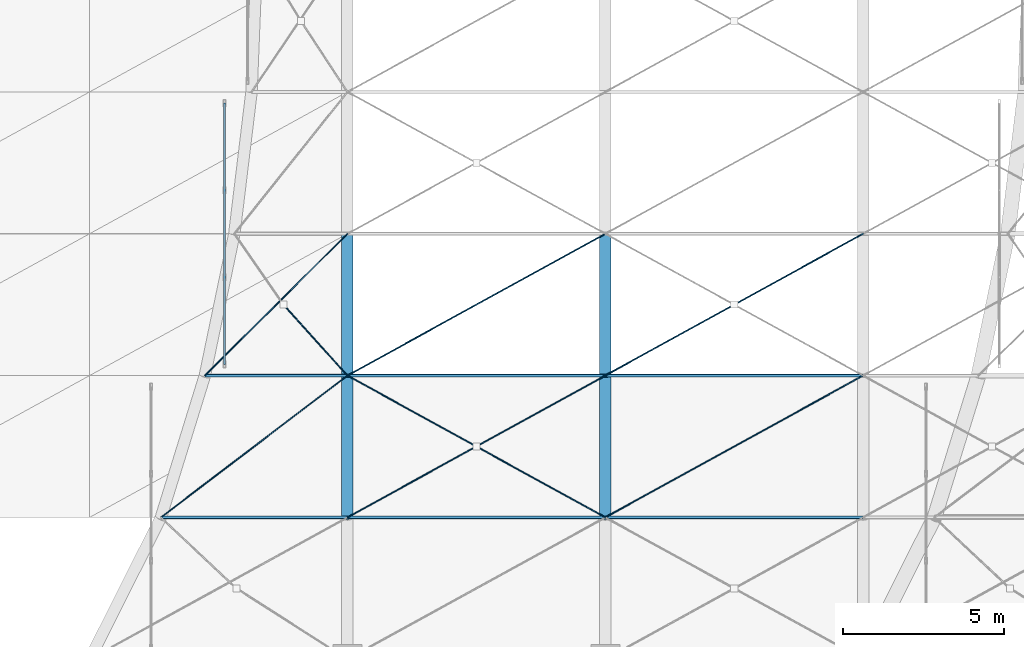
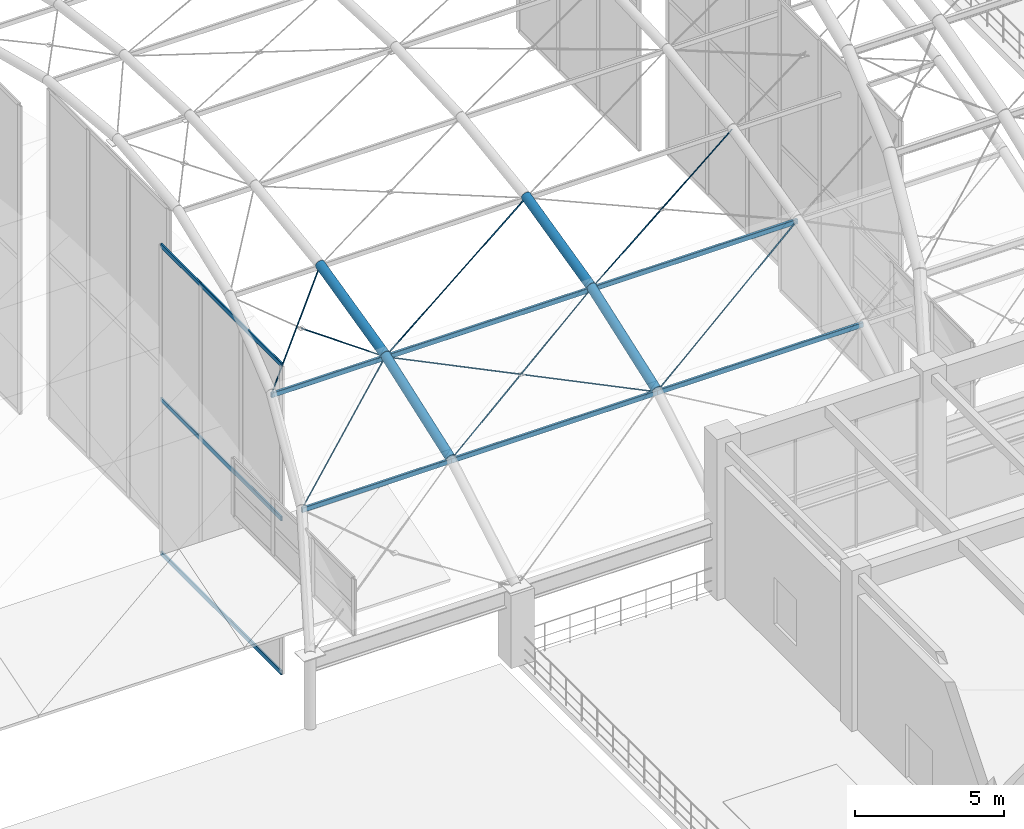
# One storey, part 13 of 163: 12 members, 10 beams, 1 element without a shape of its own.
"""IFC4 building model written with IfcOpenShell, lengths in metres."""

from ifc_helpers import new_model, si_unit, direction, frame, origin, origin_2d, place, context, subcontext, project, spatial, hollow_rectangle, circle, hollow_circle, extrude, material, material_profile, profile_set, type_object, element, aggregate, save


model = new_model("IFC4")

# Units and contexts
model_context = context("Model", 3, precision=1e-05, world=origin(), true_north=direction((0.0, 1.0)))
body_context = subcontext(model_context, "Body", "Model", "MODEL_VIEW")
ifc_project = project(units=[si_unit("LENGTHUNIT", "METRE"), si_unit("AREAUNIT", "SQUARE_METRE"), si_unit("VOLUMEUNIT", "CUBIC_METRE"), si_unit("PLANEANGLEUNIT", "RADIAN"), si_unit("MASSUNIT", "GRAM", prefix="KILO")], contexts=[model_context])

# Site, building, storey
site_placement = place(None, origin())
site = spatial("IfcSite", under=ifc_project, at=site_placement, CompositionType="ELEMENT")
building_placement = place(site_placement, origin())
building = spatial("IfcBuilding", under=site, at=building_placement, Name="Varnabhumi Central Station", CompositionType="ELEMENT")
storey_placement = place(building_placement, frame((0.0, 0.0, 9.60009765625)))
storey = spatial("IfcBuildingStorey", under=building, at=storey_placement, Name="L02", CompositionType="ELEMENT", Elevation=9.60009765625)

# Beams
ifc_material_1 = material(Name="Structural steel E350", Category="steel")
ifc_material_profile_1 = material_profile(ifc_material_1, hollow_circle(Radius=0.177734375, WallThickness=0.012451171875, at=origin_2d()), Name="Structural steel E350", Category="steel")
ifc_profile_set_1 = profile_set([ifc_material_profile_1], Name="Structural steel E350")
beam_type_1 = type_object("IfcBeamType", Name="BM-ARCH-CHS355", PredefinedType="BEAM", material=ifc_profile_set_1)
beam_1_placement = place(storey_placement, frame((24.0, 40.39990234375, 5.554443359375), z_axis=(0.0, 0.941622467523, 0.336670653094), x_axis=(-1.0, 0.0, 0.0)))
element("IfcBeam", 1, at=beam_1_placement, inside=storey, type_object=beam_type_1, Name="Entrance Portico Vault Arch Rib 2 Seg 2", PredefinedType="BEAM", context=body_context, shape_type="SweptSolid", body=[
    extrude(hollow_circle(Radius=0.177734375, WallThickness=0.012451171875, at=origin_2d()), origin(), (0.0, 0.0, 1.0), 4.6728515625),
])
beam_2_placement = place(storey_placement, frame((24.0, 44.800048828125, 7.127685546875), z_axis=(0.0, 0.972451917694, 0.2331035559), x_axis=(-1.0, 0.0, 0.0)))
element("IfcBeam", 2, at=beam_2_placement, inside=storey, type_object=beam_type_1, Name="Entrance Portico Vault Arch Rib 2 Seg 3", PredefinedType="BEAM", context=body_context, shape_type="SweptSolid", body=[
    extrude(hollow_circle(Radius=0.177734375, WallThickness=0.012451171875, at=origin_2d()), origin(), (0.0, 0.0, 1.0), 4.524658203125),
])
beam_3_placement = place(storey_placement, frame((32.0, 40.39990234375, 5.554443359375), z_axis=(0.0, 0.941622467523, 0.336670653094), x_axis=(-1.0, 0.0, 0.0)))
element("IfcBeam", 3, at=beam_3_placement, inside=storey, type_object=beam_type_1, Name="Entrance Portico Vault Arch Rib 3 Seg 2", PredefinedType="BEAM", context=body_context, shape_type="SweptSolid", body=[
    extrude(hollow_circle(Radius=0.177734375, WallThickness=0.012451171875, at=origin_2d()), origin(), (0.0, 0.0, 1.0), 4.6728515625),
])
beam_4_placement = place(storey_placement, frame((32.0, 44.800048828125, 7.127685546875), z_axis=(0.0, 0.972451917694, 0.2331035559), x_axis=(-1.0, 0.0, 0.0)))
element("IfcBeam", 4, at=beam_4_placement, inside=storey, type_object=beam_type_1, Name="Entrance Portico Vault Arch Rib 3 Seg 3", PredefinedType="BEAM", context=body_context, shape_type="SweptSolid", body=[
    extrude(hollow_circle(Radius=0.177734375, WallThickness=0.012451171875, at=origin_2d()), origin(), (0.0, 0.0, 1.0), 4.524658203125),
])
ifc_material_profile_2 = material_profile(ifc_material_1, hollow_rectangle(XDim=0.10009765625, YDim=0.199951171875, WallThickness=0.008056640625, InnerFilletRadius=0.008056640625, OuterFilletRadius=0.01611328125, at=origin_2d()), Name="Structural steel E350", Category="steel")
ifc_profile_set_2 = profile_set([ifc_material_profile_2], Name="Structural steel E350")
beam_type_2 = type_object("IfcBeamType", Name="BM-PUR-RHS200", PredefinedType="JOIST", material=ifc_profile_set_2)
beam_5_placement = place(storey_placement, frame((18.2138671875, 40.39990234375, 5.454345703125), z_axis=(1.0, 0.0, 0.0), x_axis=(0.0, 1.0, 0.0)))
element("IfcBeam", 5, at=beam_5_placement, inside=storey, type_object=beam_type_2, Name="Entrance Portico Vault Purlin B1-L1", PredefinedType="JOIST", context=body_context, shape_type="SweptSolid", body=[
    extrude(hollow_rectangle(XDim=0.10009765625, YDim=0.199951171875, WallThickness=0.008056640625, InnerFilletRadius=0.008056640625, OuterFilletRadius=0.01611328125, at=origin_2d()), origin(), (0.0, 0.0, 1.0), 5.7861328125),
])
beam_6_placement = place(storey_placement, frame((19.577392578125, 44.800048828125, 7.027587890625), z_axis=(1.0, 0.0, 0.0), x_axis=(0.0, 1.0, 0.0)))
element("IfcBeam", 6, at=beam_6_placement, inside=storey, type_object=beam_type_2, Name="Entrance Portico Vault Purlin B1-L2", PredefinedType="JOIST", context=body_context, shape_type="SweptSolid", body=[
    extrude(hollow_rectangle(XDim=0.10009765625, YDim=0.199951171875, WallThickness=0.008056640625, InnerFilletRadius=0.008056640625, OuterFilletRadius=0.01611328125, at=origin_2d()), origin(), (0.0, 0.0, 1.0), 4.422607421875),
])
for number, where, z_axis, x_axis, name in (
    (7, (24.0, 40.39990234375, 5.454345703125), (1.0, 0.0, 0.0), (0.0, 1.0, 0.0), "Entrance Portico Vault Purlin B2-L1"),
    (8, (24.0, 44.800048828125, 7.027587890625), (1.0, 0.0, 0.0), (0.0, 1.0, 0.0), "Entrance Portico Vault Purlin B2-L2"),
    (9, (32.0, 40.39990234375, 5.454345703125), (1.0, 0.0, 0.0), (0.0, 1.0, 0.0), "Entrance Portico Vault Purlin B3-L1"),
    (10, (32.0, 44.800048828125, 7.027587890625), (1.0, 0.0, 0.0), (0.0, 1.0, 0.0), "Entrance Portico Vault Purlin B3-L2"),
):
    element("IfcBeam", number, at=place(storey_placement, frame(where, z_axis=z_axis, x_axis=x_axis)), inside=storey, type_object=beam_type_2, Name=name, PredefinedType="JOIST", context=body_context, shape_type="SweptSolid", body=[
        extrude(hollow_rectangle(XDim=0.10009765625, YDim=0.199951171875, WallThickness=0.008056640625, InnerFilletRadius=0.008056640625, OuterFilletRadius=0.01611328125, at=origin_2d()), origin(), (0.0, 0.0, 1.0), 8.0),
    ])

# Curtain wall, members
ifc_material_2 = material(Name="Anodised aluminium 6063-T6", Category="aluminium")
curtain_wall_type = type_object("IfcCurtainWallType", Name="CW-VAULT-ARCH-V2", PredefinedType="NOTDEFINED", material=ifc_material_2)
curtain_wall_placement = place(storey_placement, origin())
curtain_wall = element("IfcCurtainWall", 11, at=curtain_wall_placement, inside=storey, type_object=curtain_wall_type, Name="Curtain Wall CW-V22", PredefinedType="NOTDEFINED")
ifc_material_profile_3 = material_profile(ifc_material_2, hollow_rectangle(XDim=0.06494140625, YDim=0.179931640625, WallThickness=0.00390625, InnerFilletRadius=0.001953125, OuterFilletRadius=0.006103515625, at=origin_2d()), Name="Anodised aluminium 6063-T6", Category="aluminium")
ifc_profile_set_3 = profile_set([ifc_material_profile_3], Name="Anodised aluminium 6063-T6")
member_type_1 = type_object("IfcMemberType", Name="CW-TR-180", PredefinedType="USERDEFINED", material=ifc_profile_set_3)
member_1_placement = place(storey_placement, frame((20.18798828125, 45.14990234375, -4.800048828125), z_axis=(0.0, 1.0, 0.0), x_axis=(-1.0, 0.0, 0.0)))
member_1 = element("IfcMember", 12, at=member_1_placement, type_object=member_type_1, Name="Curtain Wall Transom CW-V22-T1", ObjectType="TRANSOM", PredefinedType="USERDEFINED", context=body_context, shape_type="SweptSolid", body=[
    extrude(hollow_rectangle(XDim=0.06494140625, YDim=0.179931640625, WallThickness=0.00390625, InnerFilletRadius=0.001953125, OuterFilletRadius=0.006103515625, at=origin_2d()), origin(), (0.0, 0.0, 1.0), 8.10009765625),
])
member_2_placement = place(storey_placement, frame((20.18798828125, 45.14990234375, 1.51611328125), z_axis=(0.0, 1.0, 0.0), x_axis=(-1.0, 0.0, 0.0)))
member_2 = element("IfcMember", 13, at=member_2_placement, type_object=member_type_1, Name="Curtain Wall Transom CW-V22-T2", ObjectType="TRANSOM", PredefinedType="USERDEFINED", context=body_context, shape_type="SweptSolid", body=[
    extrude(hollow_rectangle(XDim=0.06494140625, YDim=0.179931640625, WallThickness=0.00390625, InnerFilletRadius=0.001953125, OuterFilletRadius=0.006103515625, at=origin_2d()), origin(), (0.0, 0.0, 1.0), 8.10009765625),
])
member_3_placement = place(storey_placement, frame((20.18798828125, 45.14990234375, 7.832275390625), z_axis=(0.0, 1.0, 0.0), x_axis=(-1.0, 0.0, 0.0)))
member_3 = element("IfcMember", 14, at=member_3_placement, type_object=member_type_1, Name="Curtain Wall Transom CW-V22-T3", ObjectType="TRANSOM", PredefinedType="USERDEFINED", context=body_context, shape_type="SweptSolid", body=[
    extrude(hollow_rectangle(XDim=0.06494140625, YDim=0.179931640625, WallThickness=0.00390625, InnerFilletRadius=0.001953125, OuterFilletRadius=0.006103515625, at=origin_2d()), origin(), (0.0, 0.0, 1.0), 8.10009765625),
])
aggregate(curtain_wall, [member_1, member_2, member_3])

# Members
ifc_material_3 = material(Name="Spiral-strand steel S1570", Category="steel")
ifc_material_profile_4 = material_profile(ifc_material_3, circle(Radius=0.01806640625, at=origin_2d()), Name="Spiral-strand steel S1570", Category="steel")
ifc_profile_set_4 = profile_set([ifc_material_profile_4], Name="Spiral-strand steel S1570")
member_type_2 = type_object("IfcMemberType", Name="MBR-CABLE-D36", PredefinedType="USERDEFINED", material=ifc_profile_set_4)
member_4_placement = place(storey_placement, frame((18.2138671875, 40.39990234375, 5.474365234375), z_axis=(0.777972312021, 0.591620041331, 0.211529686863), x_axis=(-0.605317422479, 0.795984182031, 0.0)))
element("IfcMember", 15, at=member_4_placement, inside=storey, type_object=member_type_2, Name="Entrance Portico Vault Cable-Net Tie B1-P2A", ObjectType="TENSION CABLE", PredefinedType="USERDEFINED", context=body_context, shape_type="SweptSolid", body=[
    extrude(circle(Radius=0.01806640625, at=origin_2d()), origin(), (0.0, 0.0, 1.0), 7.4375),
])
member_5_placement = place(storey_placement, frame((19.577392578125, 44.800048828125, 7.047607421875), z_axis=(0.699005145676, 0.695416546253, 0.166696231262), x_axis=(-0.70528467831, 0.708924200843, 0.0)))
element("IfcMember", 16, at=member_5_placement, inside=storey, type_object=member_type_2, Name="Entrance Portico Vault Cable-Net Tie B1-P3A", ObjectType="TENSION CABLE", PredefinedType="USERDEFINED", context=body_context, shape_type="SweptSolid", body=[
    extrude(circle(Radius=0.01806640625, at=origin_2d()), origin(), (0.0, 0.0, 1.0), 6.326904296875),
])
member_6_placement = place(storey_placement, frame((22.01708984375, 47.0, 7.574951171875), z_axis=(0.659148584635, -0.731296219668, -0.175296841026), x_axis=(0.742797981538, 0.669515614921, 0.0)))
element("IfcMember", 17, at=member_6_placement, inside=storey, type_object=member_type_2, Name="Entrance Portico Vault Cable-Net Split Tie B1-P3B2", ObjectType="TENSION CABLE", PredefinedType="USERDEFINED", context=body_context, shape_type="SweptSolid", body=[
    extrude(circle(Radius=0.01806640625, at=origin_2d()), origin(), (0.0, 0.0, 1.0), 3.00830078125),
])
member_7_placement = place(storey_placement, frame((24.0, 40.39990234375, 5.474365234375), z_axis=(0.86348399062, 0.474932005705, 0.169808680284), x_axis=(-0.481931067474, 0.876209133828, 0.0)))
element("IfcMember", 18, at=member_7_placement, inside=storey, type_object=member_type_2, Name="Entrance Portico Vault Cable-Net Tie B2-P2A", ObjectType="TENSION CABLE", PredefinedType="USERDEFINED", context=body_context, shape_type="SweptSolid", body=[
    extrude(circle(Radius=0.01806640625, at=origin_2d()), origin(), (0.0, 0.0, 1.0), 9.264892578125),
])
member_8_placement = place(storey_placement, frame((24.0, 44.800048828125, 7.047607421875), z_axis=(0.863494797148, -0.474911597723, -0.169810805445), x_axis=(0.481910537812, 0.876220425204, 0.0)))
element("IfcMember", 19, at=member_8_placement, inside=storey, type_object=member_type_2, Name="Entrance Portico Vault Cable-Net Split Tie B2-P2B1", ObjectType="TENSION CABLE", PredefinedType="USERDEFINED", context=body_context, shape_type="SweptSolid", body=[
    extrude(circle(Radius=0.01806640625, at=origin_2d()), origin(), (0.0, 0.0, 1.0), 4.63232421875),
])
member_9_placement = place(storey_placement, frame((28.0, 42.60009765625, 6.260986328125), z_axis=(0.863473183898, -0.47495241292, -0.169806555085), x_axis=(0.481951596342, 0.876197842262, 0.0)))
element("IfcMember", 20, at=member_9_placement, inside=storey, type_object=member_type_2, Name="Entrance Portico Vault Cable-Net Split Tie B2-P2B2", ObjectType="TENSION CABLE", PredefinedType="USERDEFINED", context=body_context, shape_type="SweptSolid", body=[
    extrude(circle(Radius=0.01806640625, at=origin_2d()), origin(), (0.0, 0.0, 1.0), 4.632568359375),
])
member_10_placement = place(storey_placement, frame((24.0, 44.800048828125, 7.047607421875), z_axis=(0.870432037619, 0.478726995299, 0.114754223709), x_axis=(-0.481910537812, 0.876220425204, 0.0)))
element("IfcMember", 21, at=member_10_placement, inside=storey, type_object=member_type_2, Name="Entrance Portico Vault Cable-Net Tie B2-P3A", ObjectType="TENSION CABLE", PredefinedType="USERDEFINED", context=body_context, shape_type="SweptSolid", body=[
    extrude(circle(Radius=0.01806640625, at=origin_2d()), origin(), (0.0, 0.0, 1.0), 9.19091796875),
])
member_11_placement = place(storey_placement, frame((32.0, 40.39990234375, 5.474365234375), z_axis=(0.86348399062, 0.474932005705, 0.169808680284), x_axis=(-0.481931067474, 0.876209133828, 0.0)))
element("IfcMember", 22, at=member_11_placement, inside=storey, type_object=member_type_2, Name="Entrance Portico Vault Cable-Net Tie B3-P2A", ObjectType="TENSION CABLE", PredefinedType="USERDEFINED", context=body_context, shape_type="SweptSolid", body=[
    extrude(circle(Radius=0.01806640625, at=origin_2d()), origin(), (0.0, 0.0, 1.0), 9.264892578125),
])
member_12_placement = place(storey_placement, frame((32.0, 44.800048828125, 7.047607421875), z_axis=(0.870432037619, 0.478726995299, 0.114754223709), x_axis=(-0.481910537812, 0.876220425204, 0.0)))
element("IfcMember", 23, at=member_12_placement, inside=storey, type_object=member_type_2, Name="Entrance Portico Vault Cable-Net Tie B3-P3A", ObjectType="TENSION CABLE", PredefinedType="USERDEFINED", context=body_context, shape_type="SweptSolid", body=[
    extrude(circle(Radius=0.01806640625, at=origin_2d()), origin(), (0.0, 0.0, 1.0), 9.19091796875),
])

save(model, "model.ifc")
